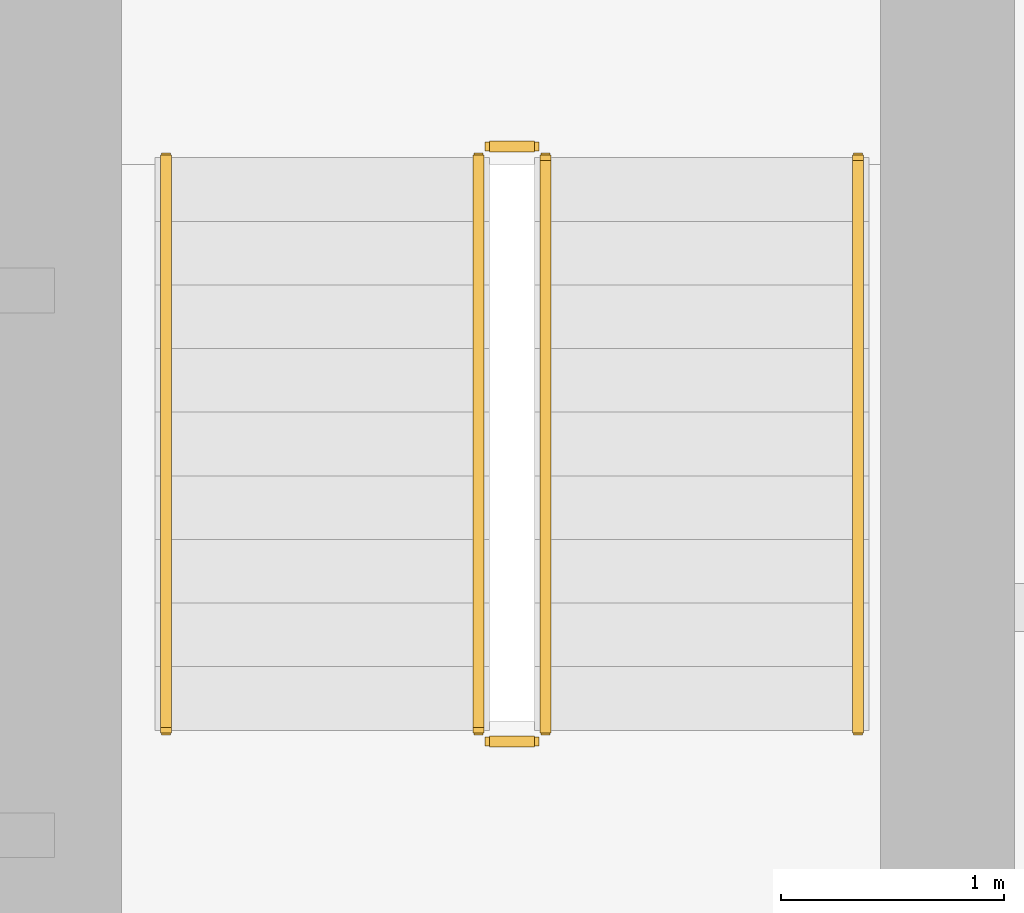
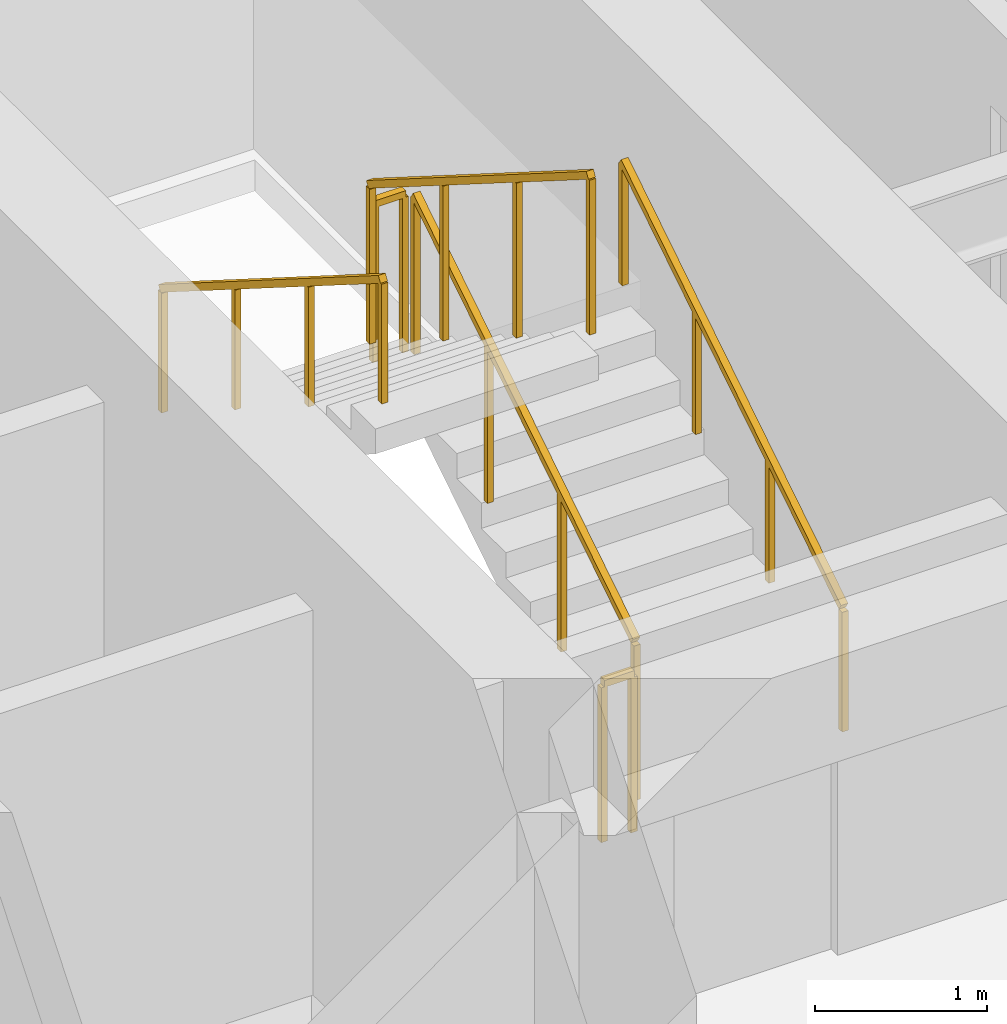
# One storey, part 26 of 26: 6 railings.
"""IFC4 building model written with IfcOpenShell, lengths in metres."""

from ifc_helpers import new_model, si_unit, direction, frame, origin, origin_2d, place, context, subcontext, project, spatial, rectangle, extrude, material, type_object, element, save


model = new_model("IFC4")

# Units and contexts
model_context = context("Model", 3, precision=1e-05, world=origin(), true_north=direction((0.0, 1.0)))
body_context = subcontext(model_context, "Body", "Model", "MODEL_VIEW")
ifc_project = project(units=[si_unit("LENGTHUNIT", "METRE"), si_unit("AREAUNIT", "SQUARE_METRE"), si_unit("VOLUMEUNIT", "CUBIC_METRE"), si_unit("PLANEANGLEUNIT", "RADIAN"), si_unit("MASSUNIT", "GRAM", prefix="KILO")], contexts=[model_context])

# Site, building, storey
site_placement = place(None, origin())
site = spatial("IfcSite", under=ifc_project, at=site_placement, CompositionType="ELEMENT")
building_placement = place(site_placement, origin())
building = spatial("IfcBuilding", under=site, at=building_placement, Name="Sarneth Arch Tower", CompositionType="ELEMENT")
storey_placement = place(building_placement, frame((0.0, 0.0, 42.60009765625)))
storey = spatial("IfcBuildingStorey", under=building, at=storey_placement, Name="L09", CompositionType="ELEMENT", Elevation=42.60009765625)

# Railings
ifc_material_1 = material(Name="Brushed Stainless Steel 304 tubular handrail", Category="steel")
railing_type_1 = type_object("IfcRailingType", Name="RAIL-HANDRAIL-900", PredefinedType="HANDRAIL", material=ifc_material_1)
railing_1_placement = place(storey_placement, frame((58.60009765625, 41.449951171875, 0.179931640625)))
element("IfcRailing", 1, at=railing_1_placement, inside=storey, type_object=railing_type_1, Name="L09 ST-2 stair handrail 1", PredefinedType="HANDRAIL", context=body_context, shape_type="SweptSolid", body=[
    extrude(rectangle(XDim=0.048095703125, YDim=0.048095703125, at=origin_2d()), frame((0.0, 0.0, 0.8759765625), z_axis=(0.0, 0.845502289212, 0.533971796014), x_axis=(-1.0, 0.0, 0.0)), (0.0, 0.0, 1.0), 3.03369140625),
    extrude(rectangle(XDim=0.0419921875, YDim=0.0419921875, at=origin_2d()), origin(), (0.0, 0.0, 1.0), 0.851806640625),
    extrude(rectangle(XDim=0.0419921875, YDim=0.0419921875, at=origin_2d()), frame((0.0, 0.85498046875, 0.5400390625)), (0.0, 0.0, 1.0), 0.851806640625),
    extrude(rectangle(XDim=0.0419921875, YDim=0.0419921875, at=origin_2d()), frame((0.0, 1.7099609375, 1.079833984375)), (0.0, 0.0, 1.0), 0.851806640625),
    extrude(rectangle(XDim=0.0419921875, YDim=0.0419921875, at=origin_2d()), frame((0.0, 2.56494140625, 1.619873046875)), (0.0, 0.0, 1.0), 0.851806640625),
])
railing_2_placement = place(storey_placement, frame((55.5, 44.014892578125, 1.97998046875)))
element("IfcRailing", 2, at=railing_2_placement, inside=storey, type_object=railing_type_1, Name="L09 ST-2 stair handrail 2", PredefinedType="HANDRAIL", context=body_context, shape_type="SweptSolid", body=[
    extrude(rectangle(XDim=0.048095703125, YDim=0.048095703125, at=origin_2d()), frame((0.0, 0.0, 0.8759765625), z_axis=(0.0, -0.845502289212, 0.533971796014), x_axis=(1.0, 0.0, 0.0)), (0.0, 0.0, 1.0), 3.03369140625),
    extrude(rectangle(XDim=0.0419921875, YDim=0.0419921875, at=origin_2d()), origin(), (0.0, 0.0, 1.0), 0.851806640625),
    extrude(rectangle(XDim=0.0419921875, YDim=0.0419921875, at=origin_2d()), frame((0.0, -0.85498046875, 0.5400390625)), (0.0, 0.0, 1.0), 0.851806640625),
    extrude(rectangle(XDim=0.0419921875, YDim=0.0419921875, at=origin_2d()), frame((0.0, -1.7099609375, 1.079833984375)), (0.0, 0.0, 1.0), 0.851806640625),
    extrude(rectangle(XDim=0.0419921875, YDim=0.0419921875, at=origin_2d()), frame((0.0, -2.56494140625, 1.619873046875)), (0.0, 0.0, 1.0), 0.851806640625),
])
ifc_material_2 = material(Name="Painted Steel S275 stair well guard", Category="steel")
railing_type_2 = type_object("IfcRailingType", Name="RAIL-STAIR-GUARD", PredefinedType="GUARDRAIL", material=ifc_material_2)
railing_3_placement = place(storey_placement, frame((57.199951171875, 41.449951171875, 0.179931640625)))
element("IfcRailing", 3, at=railing_3_placement, inside=storey, type_object=railing_type_2, Name="L09 ST-2 stair guard 1", PredefinedType="GUARDRAIL", context=body_context, shape_type="SweptSolid", body=[
    extrude(rectangle(XDim=0.048095703125, YDim=0.048095703125, at=origin_2d()), frame((0.0, 0.0, 1.1259765625), z_axis=(0.0, 0.845502289212, 0.533971796014), x_axis=(-1.0, 0.0, 0.0)), (0.0, 0.0, 1.0), 3.03369140625),
    extrude(rectangle(XDim=0.0419921875, YDim=0.0419921875, at=origin_2d()), origin(), (0.0, 0.0, 1.0), 1.101806640625),
    extrude(rectangle(XDim=0.0419921875, YDim=0.0419921875, at=origin_2d()), frame((0.0, 0.85498046875, 0.5400390625)), (0.0, 0.0, 1.0), 1.101806640625),
    extrude(rectangle(XDim=0.0419921875, YDim=0.0419921875, at=origin_2d()), frame((0.0, 1.7099609375, 1.079833984375)), (0.0, 0.0, 1.0), 1.101806640625),
    extrude(rectangle(XDim=0.0419921875, YDim=0.0419921875, at=origin_2d()), frame((0.0, 2.56494140625, 1.619873046875)), (0.0, 0.0, 1.0), 1.101806640625),
])
railing_4_placement = place(storey_placement, frame((57.14990234375, 44.06494140625, 1.7998046875)))
element("IfcRailing", 4, at=railing_4_placement, inside=storey, type_object=railing_type_2, Name="L09 ST-2 stair guard 2", PredefinedType="GUARDRAIL", context=body_context, shape_type="SweptSolid", body=[
    extrude(rectangle(XDim=0.048095703125, YDim=0.048095703125, at=origin_2d()), frame((0.0, 0.0, 1.1259765625), z_axis=(-1.0, 0.0, 0.0), x_axis=(0.0, -1.0, 0.0)), (0.0, 0.0, 1.0), 0.199951171875),
    extrude(rectangle(XDim=0.0419921875, YDim=0.0419921875, at=origin_2d()), origin(), (0.0, 0.0, 1.0), 1.101806640625),
    extrude(rectangle(XDim=0.0419921875, YDim=0.0419921875, at=origin_2d()), frame((-0.199951171875, 0.0, 0.0)), (0.0, 0.0, 1.0), 1.101806640625),
])
railing_5_placement = place(storey_placement, frame((56.89990234375, 44.014892578125, 1.97998046875)))
element("IfcRailing", 5, at=railing_5_placement, inside=storey, type_object=railing_type_2, Name="L09 ST-2 stair guard 3", PredefinedType="GUARDRAIL", context=body_context, shape_type="SweptSolid", body=[
    extrude(rectangle(XDim=0.048095703125, YDim=0.048095703125, at=origin_2d()), frame((0.0, 0.0, 1.1259765625), z_axis=(0.0, -0.845502289212, 0.533971796014), x_axis=(1.0, 0.0, 0.0)), (0.0, 0.0, 1.0), 3.03369140625),
    extrude(rectangle(XDim=0.0419921875, YDim=0.0419921875, at=origin_2d()), origin(), (0.0, 0.0, 1.0), 1.101806640625),
    extrude(rectangle(XDim=0.0419921875, YDim=0.0419921875, at=origin_2d()), frame((0.0, -0.85498046875, 0.5400390625)), (0.0, 0.0, 1.0), 1.101806640625),
    extrude(rectangle(XDim=0.0419921875, YDim=0.0419921875, at=origin_2d()), frame((0.0, -1.7099609375, 1.079833984375)), (0.0, 0.0, 1.0), 1.101806640625),
    extrude(rectangle(XDim=0.0419921875, YDim=0.0419921875, at=origin_2d()), frame((0.0, -2.56494140625, 1.619873046875)), (0.0, 0.0, 1.0), 1.101806640625),
])
railing_6_placement = place(storey_placement, frame((57.14990234375, 41.39990234375, 0.0)))
element("IfcRailing", 6, at=railing_6_placement, inside=storey, type_object=railing_type_2, Name="L09 ST-2 stair guard 4", PredefinedType="GUARDRAIL", context=body_context, shape_type="SweptSolid", body=[
    extrude(rectangle(XDim=0.048095703125, YDim=0.048095703125, at=origin_2d()), frame((0.0, 0.0, 1.1259765625), z_axis=(-1.0, 0.0, 0.0), x_axis=(0.0, -1.0, 0.0)), (0.0, 0.0, 1.0), 0.199951171875),
    extrude(rectangle(XDim=0.0419921875, YDim=0.0419921875, at=origin_2d()), origin(), (0.0, 0.0, 1.0), 1.101806640625),
    extrude(rectangle(XDim=0.0419921875, YDim=0.0419921875, at=origin_2d()), frame((-0.199951171875, 0.0, 0.0)), (0.0, 0.0, 1.0), 1.101806640625),
])

save(model, "model.ifc")
